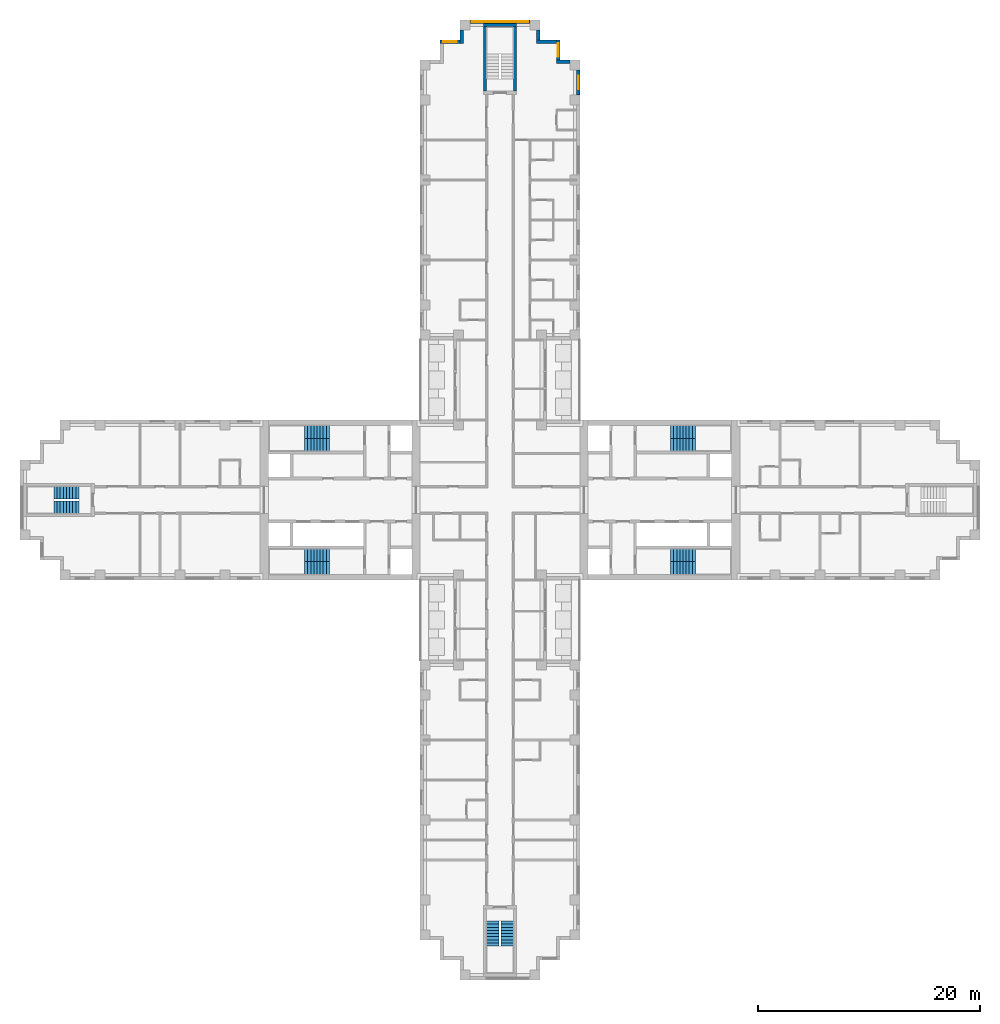
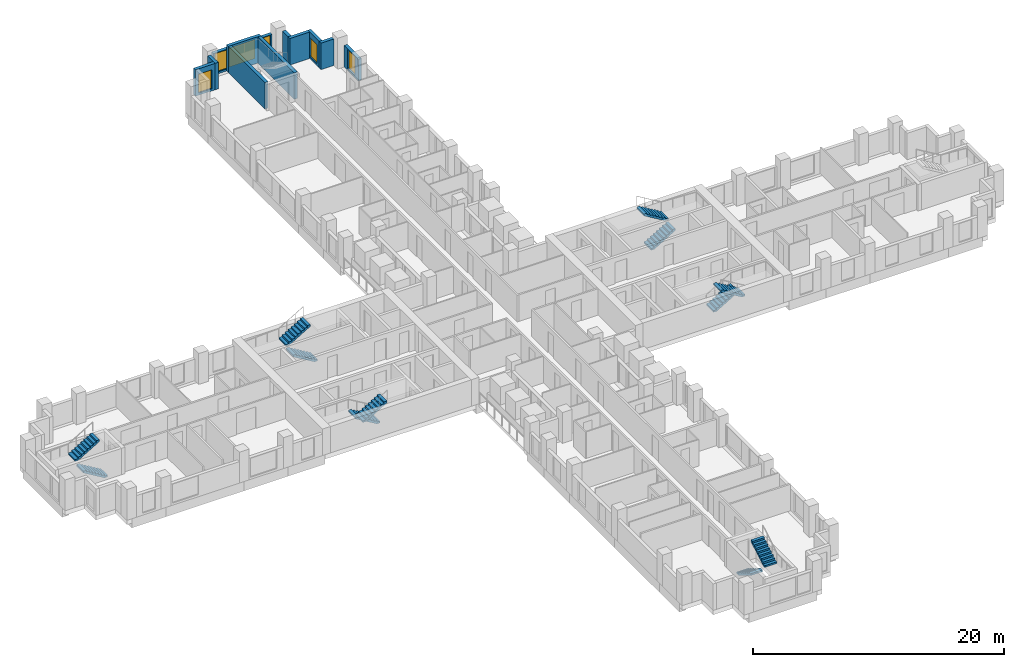
# One storey, part 12 of 15: 12 stair flights, 11 walls, 6 windows, 6 openings, 6 elements without a shape of their own.
"""IFC4 building model written with IfcOpenShell, lengths in metres."""

from ifc_helpers import new_model, si_unit, direction, frame, frame_2d, origin, place, context, subcontext, project, spatial, polyline, rectangle, outline, extrude, material, layer, layer_set, type_object, element, fill, aggregate, save


model = new_model("IFC4")

# Units and contexts
model_context = context("Model", 3, precision=1e-05, world=origin(), true_north=direction((0.0, 1.0)))
body_context = subcontext(model_context, "Body", "Model", "MODEL_VIEW")
ifc_project = project(units=[si_unit("LENGTHUNIT", "METRE"), si_unit("AREAUNIT", "SQUARE_METRE"), si_unit("VOLUMEUNIT", "CUBIC_METRE"), si_unit("PLANEANGLEUNIT", "RADIAN"), si_unit("MASSUNIT", "GRAM", prefix="KILO")], contexts=[model_context])

# Site, building, storey
site_placement = place(None, origin())
site = spatial("IfcSite", under=ifc_project, at=site_placement, CompositionType="ELEMENT")
building_placement = place(site_placement, origin())
building = spatial("IfcBuilding", under=site, at=building_placement, Name="Fustian Cross Tower", CompositionType="ELEMENT")
storey_placement = place(building_placement, frame((0.0, 0.0, 35.699951171875)))
storey = spatial("IfcBuildingStorey", under=building, at=storey_placement, Name="L10", CompositionType="ELEMENT", Elevation=35.699951171875)

# Walls
ifc_material_1 = material(Name="Concrete C50/60", Category="concrete")
ifc_layer_1 = layer(ifc_material_1, 0.300048828125)
ifc_layer_set_1 = layer_set([ifc_layer_1], Name="Concrete C50/60")
wall_type_1 = type_object("IfcWallType", Name="STAIR ENCLOSURE WALL 300 C50/60", PredefinedType="SHEAR", material=ifc_layer_set_1)
wall_1_placement = place(storey_placement, frame((-1.5, 42.75, 0.0), z_axis=(0.0, 0.0, 1.0), x_axis=(1.0, 0.0, 0.0)))
element("IfcWall", 1, at=wall_1_placement, inside=storey, type_object=wall_type_1, Name="Stair enclosure wall", PredefinedType="SHEAR", context=body_context, shape_type="SweptSolid", body=[
    extrude(rectangle(XDim=3.0, YDim=0.300048828125, at=frame_2d((1.5, 0.0))), origin(), (0.0, 0.0, 1.0), 2.574951171875),
])
for number, where, z_axis, x_axis, name in (
    (2, (-1.35009765625, 36.800048828125, 0.0), (0.0, 0.0, 1.0), (0.0, 1.0, 0.0), "Stair enclosure wall"),
    (3, (1.35009765625, 36.800048828125, 0.0), (0.0, 0.0, 1.0), (0.0, 1.0, 0.0), "Stair enclosure wall"),
):
    element("IfcWall", number, at=place(storey_placement, frame(where, z_axis=z_axis, x_axis=x_axis)), inside=storey, type_object=wall_type_1, Name=name, PredefinedType="SHEAR", context=body_context, shape_type="SweptSolid", body=[
        extrude(rectangle(XDim=5.800048828125, YDim=0.300048828125, at=frame_2d((2.89990234375, 0.0))), origin(), (0.0, 0.0, 1.0), 2.574951171875),
    ])

# Wall, opening, window
ifc_material_2 = material(Name="Dark aluminium cladding on insulated backing wall", Category="aluminium")
ifc_layer_2 = layer(ifc_material_2, 0.300048828125)
ifc_layer_set_2 = layer_set([ifc_layer_2], Name="Dark aluminium cladding on insulated backing wall")
wall_type_2 = type_object("IfcWallType", Name="XW1 EXTERNAL WALL 300", PredefinedType="SOLIDWALL", material=ifc_layer_set_2)
wall_2_placement = place(storey_placement, frame((7.050048828125, 36.449951171875, 0.0), z_axis=(0.0, 0.0, 1.0), x_axis=(0.0, 1.0, 0.0)))
wall_2 = element("IfcWall", 4, at=wall_2_placement, inside=storey, type_object=wall_type_2, Name="External wall", PredefinedType="SOLIDWALL", context=body_context, shape_type="SweptSolid", body=[
    extrude(rectangle(XDim=2.25, YDim=0.300048828125, at=frame_2d((1.125, 0.0))), origin(), (0.0, 0.0, 1.0), 2.10009765625),
])
opening_1_placement = place(wall_2_placement, frame((0.52490234375, 0.0, 0.199951171875)))
opening_1 = element("IfcOpeningElement", 5, at=opening_1_placement, cuts=wall_2, Name="Opening WN3", PredefinedType="OPENING", context=body_context, shape_type="SweptSolid", body=[
    extrude(rectangle(XDim=1.199951171875, YDim=1.85009765625, at=frame_2d((0.60009765625, 0.925048828125))), frame((0.0, 0.159912109375, 0.0), z_axis=(0.0, -1.0, 0.0), x_axis=(1.0, 0.0, 0.0)), (0.0, 0.0, 1.0), 0.320068359375),
])
ifc_material_3 = material(Name="Dark anodised aluminium and double glazing", Category="aluminium")
window_type_1 = type_object("IfcWindowType", Name="WN3 WINDOW 1200X1850", PartitioningType="SINGLE_PANEL", PredefinedType="WINDOW", material=ifc_material_3)
window_1_placement = place(opening_1_placement, origin())
window_1 = element("IfcWindow", 6, at=window_1_placement, inside=storey, type_object=window_type_1, Name="Window", OverallHeight=1.85009765625, OverallWidth=1.199951171875, PartitioningType="SINGLE_PANEL", PredefinedType="WINDOW", context=body_context, shape_type="SweptSolid", body=[
    extrude(rectangle(XDim=1.199951171875, YDim=1.85009765625, at=frame_2d((0.60009765625, 0.925048828125))), frame((0.0, 0.030029296875, 0.0), z_axis=(0.0, -1.0, 0.0), x_axis=(1.0, 0.0, 0.0)), (0.0, 0.0, 1.0), 0.06005859375),
])
fill(opening_1, window_1)

# Wall
wall_3_placement = place(storey_placement, frame((6.300048828125, 39.449951171875, 0.0), z_axis=(0.0, 0.0, 1.0), x_axis=(-1.0, 0.0, 0.0)))
element("IfcWall", 7, at=wall_3_placement, inside=storey, type_object=wall_type_2, Name="External wall", PredefinedType="SOLIDWALL", context=body_context, shape_type="SweptSolid", body=[
    extrude(rectangle(XDim=1.199951171875, YDim=0.300048828125, at=frame_2d((0.60009765625, 0.0))), origin(), (0.0, 0.0, 1.0), 2.574951171875),
])

# Wall, opening, window
wall_4_placement = place(storey_placement, frame((5.25, 39.60009765625, 0.0), z_axis=(0.0, 0.0, 1.0), x_axis=(0.0, 1.0, 0.0)))
wall_4 = element("IfcWall", 8, at=wall_4_placement, inside=storey, type_object=wall_type_2, Name="External wall", PredefinedType="SOLIDWALL", context=body_context, shape_type="SweptSolid", body=[
    extrude(rectangle(XDim=1.7998046875, YDim=0.300048828125, at=frame_2d((0.89990234375, 0.0))), origin(), (0.0, 0.0, 1.0), 2.574951171875),
])
opening_2_placement = place(wall_4_placement, frame((0.300048828125, 0.0, 0.199951171875)))
opening_2 = element("IfcOpeningElement", 9, at=opening_2_placement, cuts=wall_4, Name="Opening WN3", PredefinedType="OPENING", context=body_context, shape_type="SweptSolid", body=[
    extrude(rectangle(XDim=1.199951171875, YDim=1.85009765625, at=frame_2d((0.60009765625, 0.925048828125))), frame((0.0, 0.159912109375, 0.0), z_axis=(0.0, -1.0, 0.0), x_axis=(1.0, 0.0, 0.0)), (0.0, 0.0, 1.0), 0.320068359375),
])
window_2_placement = place(opening_2_placement, origin())
window_2 = element("IfcWindow", 10, at=window_2_placement, inside=storey, type_object=window_type_1, Name="Window", OverallHeight=1.85009765625, OverallWidth=1.199951171875, PartitioningType="SINGLE_PANEL", PredefinedType="WINDOW", context=body_context, shape_type="SweptSolid", body=[
    extrude(rectangle(XDim=1.199951171875, YDim=1.85009765625, at=frame_2d((0.60009765625, 0.925048828125))), frame((0.0, 0.030029296875, 0.0), z_axis=(0.0, -1.0, 0.0), x_axis=(1.0, 0.0, 0.0)), (0.0, 0.0, 1.0), 0.06005859375),
])
fill(opening_2, window_2)

# Walls
wall_5_placement = place(storey_placement, frame((5.10009765625, 41.25, 0.0), z_axis=(0.0, 0.0, 1.0), x_axis=(-1.0, 0.0, 0.0)))
element("IfcWall", 11, at=wall_5_placement, inside=storey, type_object=wall_type_2, Name="External wall", PredefinedType="SOLIDWALL", context=body_context, shape_type="SweptSolid", body=[
    extrude(rectangle(XDim=1.800048828125, YDim=0.300048828125, at=frame_2d((0.89990234375, 0.0))), origin(), (0.0, 0.0, 1.0), 2.574951171875),
])
wall_6_placement = place(storey_placement, frame((3.449951171875, 41.39990234375, 0.0), z_axis=(0.0, 0.0, 1.0), x_axis=(0.0, 1.0, 0.0)))
element("IfcWall", 12, at=wall_6_placement, inside=storey, type_object=wall_type_2, Name="External wall", PredefinedType="SOLIDWALL", context=body_context, shape_type="SweptSolid", body=[
    extrude(rectangle(XDim=0.900146484375, YDim=0.300048828125, at=frame_2d((0.4501953125, 0.0))), origin(), (0.0, 0.0, 1.0), 2.574951171875),
])

# Wall, openings, windows
wall_7_placement = place(storey_placement, frame((2.699951171875, 43.050048828125, 0.0), z_axis=(0.0, 0.0, 1.0), x_axis=(-1.0, 0.0, 0.0)))
wall_7 = element("IfcWall", 13, at=wall_7_placement, inside=storey, type_object=wall_type_2, Name="External wall", PredefinedType="SOLIDWALL", context=body_context, shape_type="SweptSolid", body=[
    extrude(rectangle(XDim=5.39990234375, YDim=0.300048828125, at=frame_2d((2.699951171875, 0.0))), origin(), (0.0, 0.0, 1.0), 2.10009765625),
])
opening_3_placement = place(wall_7_placement, frame((1.5, 0.0, 0.199951171875)))
opening_3 = element("IfcOpeningElement", 14, at=opening_3_placement, cuts=wall_7, Name="Opening WN1", PredefinedType="OPENING", context=body_context, shape_type="SweptSolid", body=[
    extrude(rectangle(XDim=2.39990234375, YDim=1.85009765625, at=frame_2d((1.199951171875, 0.925048828125))), frame((0.0, 0.159912109375, 0.0), z_axis=(0.0, -1.0, 0.0), x_axis=(1.0, 0.0, 0.0)), (0.0, 0.0, 1.0), 0.320068359375),
])
opening_4_placement = place(wall_7_placement, frame((0.14990234375, 0.0, 0.199951171875)))
opening_4 = element("IfcOpeningElement", 15, at=opening_4_placement, cuts=wall_7, Name="Opening WN3", PredefinedType="OPENING", context=body_context, shape_type="SweptSolid", body=[
    extrude(rectangle(XDim=1.199951171875, YDim=1.85009765625, at=frame_2d((0.60009765625, 0.925048828125))), frame((0.0, 0.159912109375, 0.0), z_axis=(0.0, -1.0, 0.0), x_axis=(1.0, 0.0, 0.0)), (0.0, 0.0, 1.0), 0.320068359375),
])
opening_5_placement = place(wall_7_placement, frame((4.050048828125, 0.0, 0.199951171875)))
opening_5 = element("IfcOpeningElement", 16, at=opening_5_placement, cuts=wall_7, Name="Opening WN3", PredefinedType="OPENING", context=body_context, shape_type="SweptSolid", body=[
    extrude(rectangle(XDim=1.199951171875, YDim=1.85009765625, at=frame_2d((0.60009765625, 0.925048828125))), frame((0.0, 0.159912109375, 0.0), z_axis=(0.0, -1.0, 0.0), x_axis=(1.0, 0.0, 0.0)), (0.0, 0.0, 1.0), 0.320068359375),
])
ifc_material_4 = material(Name="Dark anodised aluminium and double glazing", Category="aluminium")
window_type_2 = type_object("IfcWindowType", Name="WN1 WINDOW 2400X1850", PartitioningType="SINGLE_PANEL", PredefinedType="WINDOW", material=ifc_material_4)
window_3_placement = place(opening_3_placement, origin())
window_3 = element("IfcWindow", 17, at=window_3_placement, inside=storey, type_object=window_type_2, Name="Window", OverallHeight=1.85009765625, OverallWidth=2.39990234375, PartitioningType="SINGLE_PANEL", PredefinedType="WINDOW", context=body_context, shape_type="SweptSolid", body=[
    extrude(rectangle(XDim=2.39990234375, YDim=1.85009765625, at=frame_2d((1.199951171875, 0.925048828125))), frame((0.0, 0.030029296875, 0.0), z_axis=(0.0, -1.0, 0.0), x_axis=(1.0, 0.0, 0.0)), (0.0, 0.0, 1.0), 0.06005859375),
])
fill(opening_3, window_3)
window_4_placement = place(opening_4_placement, origin())
window_4 = element("IfcWindow", 18, at=window_4_placement, inside=storey, type_object=window_type_1, Name="Window", OverallHeight=1.85009765625, OverallWidth=1.199951171875, PartitioningType="SINGLE_PANEL", PredefinedType="WINDOW", context=body_context, shape_type="SweptSolid", body=[
    extrude(rectangle(XDim=1.199951171875, YDim=1.85009765625, at=frame_2d((0.60009765625, 0.925048828125))), frame((0.0, 0.030029296875, 0.0), z_axis=(0.0, -1.0, 0.0), x_axis=(1.0, 0.0, 0.0)), (0.0, 0.0, 1.0), 0.06005859375),
])
fill(opening_4, window_4)
window_5_placement = place(opening_5_placement, origin())
window_5 = element("IfcWindow", 19, at=window_5_placement, inside=storey, type_object=window_type_1, Name="Window", OverallHeight=1.85009765625, OverallWidth=1.199951171875, PartitioningType="SINGLE_PANEL", PredefinedType="WINDOW", context=body_context, shape_type="SweptSolid", body=[
    extrude(rectangle(XDim=1.199951171875, YDim=1.85009765625, at=frame_2d((0.60009765625, 0.925048828125))), frame((0.0, 0.030029296875, 0.0), z_axis=(0.0, -1.0, 0.0), x_axis=(1.0, 0.0, 0.0)), (0.0, 0.0, 1.0), 0.06005859375),
])
fill(opening_5, window_5)

# Wall
wall_8_placement = place(storey_placement, frame((-3.449951171875, 42.300048828125, 0.0), z_axis=(0.0, 0.0, 1.0), x_axis=(0.0, -1.0, 0.0)))
element("IfcWall", 20, at=wall_8_placement, inside=storey, type_object=wall_type_2, Name="External wall", PredefinedType="SOLIDWALL", context=body_context, shape_type="SweptSolid", body=[
    extrude(rectangle(XDim=1.199951171875, YDim=0.300048828125, at=frame_2d((0.60009765625, 0.0))), origin(), (0.0, 0.0, 1.0), 2.574951171875),
])

# Wall, opening, window
wall_9_placement = place(storey_placement, frame((-3.60009765625, 41.25, 0.0), z_axis=(0.0, 0.0, 1.0), x_axis=(-1.0, 0.0, 0.0)))
wall_9 = element("IfcWall", 21, at=wall_9_placement, inside=storey, type_object=wall_type_2, Name="External wall", PredefinedType="SOLIDWALL", context=body_context, shape_type="SweptSolid", body=[
    extrude(rectangle(XDim=1.7998046875, YDim=0.300048828125, at=frame_2d((0.89990234375, 0.0))), origin(), (0.0, 0.0, 1.0), 2.574951171875),
])
opening_6_placement = place(wall_9_placement, frame((0.300048828125, 0.0, 0.199951171875)))
opening_6 = element("IfcOpeningElement", 22, at=opening_6_placement, cuts=wall_9, Name="Opening WN3", PredefinedType="OPENING", context=body_context, shape_type="SweptSolid", body=[
    extrude(rectangle(XDim=1.199951171875, YDim=1.85009765625, at=frame_2d((0.60009765625, 0.925048828125))), frame((0.0, 0.159912109375, 0.0), z_axis=(0.0, -1.0, 0.0), x_axis=(1.0, 0.0, 0.0)), (0.0, 0.0, 1.0), 0.320068359375),
])
window_6_placement = place(opening_6_placement, origin())
window_6 = element("IfcWindow", 23, at=window_6_placement, inside=storey, type_object=window_type_1, Name="Window", OverallHeight=1.85009765625, OverallWidth=1.199951171875, PartitioningType="SINGLE_PANEL", PredefinedType="WINDOW", context=body_context, shape_type="SweptSolid", body=[
    extrude(rectangle(XDim=1.199951171875, YDim=1.85009765625, at=frame_2d((0.60009765625, 0.925048828125))), frame((0.0, 0.030029296875, 0.0), z_axis=(0.0, -1.0, 0.0), x_axis=(1.0, 0.0, 0.0)), (0.0, 0.0, 1.0), 0.06005859375),
])
fill(opening_6, window_6)

# Stair, stair flights
ifc_material_5 = material(Name="Concrete C50/60", Category="concrete")
stair_type_1 = type_object("IfcStairType", Name="STAIR 1100 HALF TURN", PredefinedType="HALF_TURN_STAIR", material=ifc_material_5)
stair_1_placement = place(storey_placement, origin())
stair_1 = element("IfcStair", 24, at=stair_1_placement, inside=storey, type_object=stair_type_1, Name="Stair ST6", PredefinedType="HALF_TURN_STAIR")
ifc_material_6 = material(Name="Concrete C50/60", Category="concrete")
stair_flight_type_1 = type_object("IfcStairFlightType", Name="STAIR FLIGHT 1100", PredefinedType="STRAIGHT", material=ifc_material_6)
stair_flight_1_placement = place(storey_placement, frame((-0.64990234375, -37.89990234375, 0.0), z_axis=(0.0, 0.0, 1.0), x_axis=(0.0, -1.0, 0.0)))
stair_flight_1 = element("IfcStairFlight", 25, at=stair_flight_1_placement, type_object=stair_flight_type_1, Name="ST6 flight 1", NumberOfRisers=9, NumberOfTreads=8, PredefinedType="STRAIGHT", RiserHeight=0.166666667, TreadLength=0.28, context=body_context, shape_type="SweptSolid", body=[
    extrude(outline(polyline([(0.0, 0.0), (0.0, 0.166748046875), (0.280029296875, 0.166748046875), (0.280029296875, 0.333251953125), (0.56005859375, 0.333251953125), (0.56005859375, 0.5), (0.840087890625, 0.5), (0.840087890625, 0.666748046875), (1.1201171875, 0.666748046875), (1.1201171875, 0.833251953125), (1.39990234375, 0.833251953125), (1.39990234375, 1.0), (1.679931640625, 1.0), (1.679931640625, 1.166748046875), (1.9599609375, 1.166748046875), (1.9599609375, 1.333251953125), (2.239990234375, 1.333251953125), (2.239990234375, 1.5), (2.239990234375, 1.158935546875), (0.29296875, 0.0), (0.0, 0.0)])), frame((0.0, 0.550048828125, 0.0), z_axis=(0.0, -1.0, 0.0), x_axis=(1.0, 0.0, 0.0)), (0.0, 0.0, 1.0), 1.10009765625),
])
stair_flight_2_placement = place(storey_placement, frame((0.64990234375, -40.139892578125, 1.5), z_axis=(0.0, 0.0, 1.0), x_axis=(0.0, 1.0, 0.0)))
stair_flight_2 = element("IfcStairFlight", 26, at=stair_flight_2_placement, type_object=stair_flight_type_1, Name="ST6 flight 2", NumberOfRisers=9, NumberOfTreads=8, PredefinedType="STRAIGHT", RiserHeight=0.166666667, TreadLength=0.28, context=body_context, shape_type="SweptSolid", body=[
    extrude(outline(polyline([(0.0, 0.0), (0.0, 0.166748046875), (0.280029296875, 0.166748046875), (0.280029296875, 0.333251953125), (0.56005859375, 0.333251953125), (0.56005859375, 0.5), (0.840087890625, 0.5), (0.840087890625, 0.666748046875), (1.1201171875, 0.666748046875), (1.1201171875, 0.833251953125), (1.39990234375, 0.833251953125), (1.39990234375, 1.0), (1.679931640625, 1.0), (1.679931640625, 1.166748046875), (1.9599609375, 1.166748046875), (1.9599609375, 1.333251953125), (2.239990234375, 1.333251953125), (2.239990234375, 1.5), (2.239990234375, 1.158935546875), (0.29296875, 0.0), (0.0, 0.0)])), frame((0.0, 0.550048828125, 0.0), z_axis=(0.0, -1.0, 0.0), x_axis=(1.0, 0.0, 0.0)), (0.0, 0.0, 1.0), 1.10009765625),
])
aggregate(stair_1, [stair_flight_1, stair_flight_2])

stair_2_placement = place(storey_placement, origin())
stair_2 = element("IfcStair", 27, at=stair_2_placement, inside=storey, type_object=stair_type_1, Name="Stair ST9", PredefinedType="HALF_TURN_STAIR")
stair_flight_3_placement = place(storey_placement, frame((-37.89990234375, -0.64990234375, 0.0), z_axis=(0.0, 0.0, 1.0), x_axis=(-1.0, 0.0, 0.0)))
stair_flight_3 = element("IfcStairFlight", 28, at=stair_flight_3_placement, type_object=stair_flight_type_1, Name="ST9 flight 1", NumberOfRisers=9, NumberOfTreads=8, PredefinedType="STRAIGHT", RiserHeight=0.166666667, TreadLength=0.28, context=body_context, shape_type="SweptSolid", body=[
    extrude(outline(polyline([(0.0, 0.0), (0.0, 0.166748046875), (0.280029296875, 0.166748046875), (0.280029296875, 0.333251953125), (0.56005859375, 0.333251953125), (0.56005859375, 0.5), (0.840087890625, 0.5), (0.840087890625, 0.666748046875), (1.1201171875, 0.666748046875), (1.1201171875, 0.833251953125), (1.39990234375, 0.833251953125), (1.39990234375, 1.0), (1.679931640625, 1.0), (1.679931640625, 1.166748046875), (1.9599609375, 1.166748046875), (1.9599609375, 1.333251953125), (2.239990234375, 1.333251953125), (2.239990234375, 1.5), (2.239990234375, 1.158935546875), (0.29296875, 0.0), (0.0, 0.0)])), frame((0.0, 0.550048828125, 0.0), z_axis=(0.0, -1.0, 0.0), x_axis=(1.0, 0.0, 0.0)), (0.0, 0.0, 1.0), 1.10009765625),
])
stair_flight_4_placement = place(storey_placement, frame((-40.139892578125, 0.64990234375, 1.5), z_axis=(0.0, 0.0, 1.0), x_axis=(1.0, 0.0, 0.0)))
stair_flight_4 = element("IfcStairFlight", 29, at=stair_flight_4_placement, type_object=stair_flight_type_1, Name="ST9 flight 2", NumberOfRisers=9, NumberOfTreads=8, PredefinedType="STRAIGHT", RiserHeight=0.166666667, TreadLength=0.28, context=body_context, shape_type="SweptSolid", body=[
    extrude(outline(polyline([(0.0, 0.0), (0.0, 0.166748046875), (0.280029296875, 0.166748046875), (0.280029296875, 0.333251953125), (0.56005859375, 0.333251953125), (0.56005859375, 0.5), (0.840087890625, 0.5), (0.840087890625, 0.666748046875), (1.1201171875, 0.666748046875), (1.1201171875, 0.833251953125), (1.39990234375, 0.833251953125), (1.39990234375, 1.0), (1.679931640625, 1.0), (1.679931640625, 1.166748046875), (1.9599609375, 1.166748046875), (1.9599609375, 1.333251953125), (2.239990234375, 1.333251953125), (2.239990234375, 1.5), (2.239990234375, 1.158935546875), (0.29296875, 0.0), (0.0, 0.0)])), frame((0.0, 0.550048828125, 0.0), z_axis=(0.0, -1.0, 0.0), x_axis=(1.0, 0.0, 0.0)), (0.0, 0.0, 1.0), 1.10009765625),
])
aggregate(stair_2, [stair_flight_3, stair_flight_4])

ifc_material_7 = material(Name="Concrete C50/60", Category="concrete")
stair_type_2 = type_object("IfcStairType", Name="STAIR 1150 HALF TURN", PredefinedType="HALF_TURN_STAIR", material=ifc_material_7)
stair_3_placement = place(storey_placement, origin())
stair_3 = element("IfcStair", 30, at=stair_3_placement, inside=storey, type_object=stair_type_2, Name="Stair ST1", PredefinedType="HALF_TURN_STAIR")
ifc_material_8 = material(Name="Concrete C50/60", Category="concrete")
stair_flight_type_2 = type_object("IfcStairFlightType", Name="STAIR FLIGHT 1150", PredefinedType="STRAIGHT", material=ifc_material_8)
stair_flight_5_placement = place(storey_placement, frame((15.35009765625, 4.97509765625, 0.0), z_axis=(0.0, 0.0, 1.0), x_axis=(1.0, 0.0, 0.0)))
stair_flight_5 = element("IfcStairFlight", 31, at=stair_flight_5_placement, type_object=stair_flight_type_2, Name="ST1 flight 1", NumberOfRisers=9, NumberOfTreads=8, PredefinedType="STRAIGHT", RiserHeight=0.166666667, TreadLength=0.28, context=body_context, shape_type="SweptSolid", body=[
    extrude(outline(polyline([(0.0, 0.0), (0.0, 0.166748046875), (0.280029296875, 0.166748046875), (0.280029296875, 0.333251953125), (0.56005859375, 0.333251953125), (0.56005859375, 0.5), (0.840087890625, 0.5), (0.840087890625, 0.666748046875), (1.1201171875, 0.666748046875), (1.1201171875, 0.833251953125), (1.39990234375, 0.833251953125), (1.39990234375, 1.0), (1.679931640625, 1.0), (1.679931640625, 1.166748046875), (1.9599609375, 1.166748046875), (1.9599609375, 1.333251953125), (2.239990234375, 1.333251953125), (2.239990234375, 1.5), (2.239990234375, 1.158935546875), (0.29296875, 0.0), (0.0, 0.0)])), frame((0.0, 0.574951171875, 0.0), z_axis=(0.0, -1.0, 0.0), x_axis=(1.0, 0.0, 0.0)), (0.0, 0.0, 1.0), 1.14990234375),
])
stair_flight_6_placement = place(storey_placement, frame((17.590087890625, 6.125, 1.5), z_axis=(0.0, 0.0, 1.0), x_axis=(-1.0, 0.0, 0.0)))
stair_flight_6 = element("IfcStairFlight", 32, at=stair_flight_6_placement, type_object=stair_flight_type_2, Name="ST1 flight 2", NumberOfRisers=9, NumberOfTreads=8, PredefinedType="STRAIGHT", RiserHeight=0.166666667, TreadLength=0.28, context=body_context, shape_type="SweptSolid", body=[
    extrude(outline(polyline([(0.0, 0.0), (0.0, 0.166748046875), (0.280029296875, 0.166748046875), (0.280029296875, 0.333251953125), (0.56005859375, 0.333251953125), (0.56005859375, 0.5), (0.840087890625, 0.5), (0.840087890625, 0.666748046875), (1.1201171875, 0.666748046875), (1.1201171875, 0.833251953125), (1.39990234375, 0.833251953125), (1.39990234375, 1.0), (1.679931640625, 1.0), (1.679931640625, 1.166748046875), (1.9599609375, 1.166748046875), (1.9599609375, 1.333251953125), (2.239990234375, 1.333251953125), (2.239990234375, 1.5), (2.239990234375, 1.158935546875), (0.29296875, 0.0), (0.0, 0.0)])), frame((0.0, 0.574951171875, 0.0), z_axis=(0.0, -1.0, 0.0), x_axis=(1.0, 0.0, 0.0)), (0.0, 0.0, 1.0), 1.14990234375),
])
aggregate(stair_3, [stair_flight_5, stair_flight_6])

stair_4_placement = place(storey_placement, origin())
stair_4 = element("IfcStair", 33, at=stair_4_placement, inside=storey, type_object=stair_type_2, Name="Stair ST2", PredefinedType="HALF_TURN_STAIR")
stair_flight_7_placement = place(storey_placement, frame((15.35009765625, -4.97509765625, 0.0), z_axis=(0.0, 0.0, 1.0), x_axis=(1.0, 0.0, 0.0)))
stair_flight_7 = element("IfcStairFlight", 34, at=stair_flight_7_placement, type_object=stair_flight_type_2, Name="ST2 flight 1", NumberOfRisers=9, NumberOfTreads=8, PredefinedType="STRAIGHT", RiserHeight=0.166666667, TreadLength=0.28, context=body_context, shape_type="SweptSolid", body=[
    extrude(outline(polyline([(0.0, 0.0), (0.0, 0.166748046875), (0.280029296875, 0.166748046875), (0.280029296875, 0.333251953125), (0.56005859375, 0.333251953125), (0.56005859375, 0.5), (0.840087890625, 0.5), (0.840087890625, 0.666748046875), (1.1201171875, 0.666748046875), (1.1201171875, 0.833251953125), (1.39990234375, 0.833251953125), (1.39990234375, 1.0), (1.679931640625, 1.0), (1.679931640625, 1.166748046875), (1.9599609375, 1.166748046875), (1.9599609375, 1.333251953125), (2.239990234375, 1.333251953125), (2.239990234375, 1.5), (2.239990234375, 1.158935546875), (0.29296875, 0.0), (0.0, 0.0)])), frame((0.0, 0.574951171875, 0.0), z_axis=(0.0, -1.0, 0.0), x_axis=(1.0, 0.0, 0.0)), (0.0, 0.0, 1.0), 1.14990234375),
])
stair_flight_8_placement = place(storey_placement, frame((17.590087890625, -6.125, 1.5), z_axis=(0.0, 0.0, 1.0), x_axis=(-1.0, 0.0, 0.0)))
stair_flight_8 = element("IfcStairFlight", 35, at=stair_flight_8_placement, type_object=stair_flight_type_2, Name="ST2 flight 2", NumberOfRisers=9, NumberOfTreads=8, PredefinedType="STRAIGHT", RiserHeight=0.166666667, TreadLength=0.28, context=body_context, shape_type="SweptSolid", body=[
    extrude(outline(polyline([(0.0, 0.0), (0.0, 0.166748046875), (0.280029296875, 0.166748046875), (0.280029296875, 0.333251953125), (0.56005859375, 0.333251953125), (0.56005859375, 0.5), (0.840087890625, 0.5), (0.840087890625, 0.666748046875), (1.1201171875, 0.666748046875), (1.1201171875, 0.833251953125), (1.39990234375, 0.833251953125), (1.39990234375, 1.0), (1.679931640625, 1.0), (1.679931640625, 1.166748046875), (1.9599609375, 1.166748046875), (1.9599609375, 1.333251953125), (2.239990234375, 1.333251953125), (2.239990234375, 1.5), (2.239990234375, 1.158935546875), (0.29296875, 0.0), (0.0, 0.0)])), frame((0.0, 0.574951171875, 0.0), z_axis=(0.0, -1.0, 0.0), x_axis=(1.0, 0.0, 0.0)), (0.0, 0.0, 1.0), 1.14990234375),
])
aggregate(stair_4, [stair_flight_7, stair_flight_8])

stair_5_placement = place(storey_placement, origin())
stair_5 = element("IfcStair", 36, at=stair_5_placement, inside=storey, type_object=stair_type_2, Name="Stair ST3", PredefinedType="HALF_TURN_STAIR")
stair_flight_9_placement = place(storey_placement, frame((-15.35009765625, 4.97509765625, 0.0), z_axis=(0.0, 0.0, 1.0), x_axis=(-1.0, 0.0, 0.0)))
stair_flight_9 = element("IfcStairFlight", 37, at=stair_flight_9_placement, type_object=stair_flight_type_2, Name="ST3 flight 1", NumberOfRisers=9, NumberOfTreads=8, PredefinedType="STRAIGHT", RiserHeight=0.166666667, TreadLength=0.28, context=body_context, shape_type="SweptSolid", body=[
    extrude(outline(polyline([(0.0, 0.0), (0.0, 0.166748046875), (0.280029296875, 0.166748046875), (0.280029296875, 0.333251953125), (0.56005859375, 0.333251953125), (0.56005859375, 0.5), (0.840087890625, 0.5), (0.840087890625, 0.666748046875), (1.1201171875, 0.666748046875), (1.1201171875, 0.833251953125), (1.39990234375, 0.833251953125), (1.39990234375, 1.0), (1.679931640625, 1.0), (1.679931640625, 1.166748046875), (1.9599609375, 1.166748046875), (1.9599609375, 1.333251953125), (2.239990234375, 1.333251953125), (2.239990234375, 1.5), (2.239990234375, 1.158935546875), (0.29296875, 0.0), (0.0, 0.0)])), frame((0.0, 0.574951171875, 0.0), z_axis=(0.0, -1.0, 0.0), x_axis=(1.0, 0.0, 0.0)), (0.0, 0.0, 1.0), 1.14990234375),
])
stair_flight_10_placement = place(storey_placement, frame((-17.590087890625, 6.125, 1.5), z_axis=(0.0, 0.0, 1.0), x_axis=(1.0, 0.0, 0.0)))
stair_flight_10 = element("IfcStairFlight", 38, at=stair_flight_10_placement, type_object=stair_flight_type_2, Name="ST3 flight 2", NumberOfRisers=9, NumberOfTreads=8, PredefinedType="STRAIGHT", RiserHeight=0.166666667, TreadLength=0.28, context=body_context, shape_type="SweptSolid", body=[
    extrude(outline(polyline([(0.0, 0.0), (0.0, 0.166748046875), (0.280029296875, 0.166748046875), (0.280029296875, 0.333251953125), (0.56005859375, 0.333251953125), (0.56005859375, 0.5), (0.840087890625, 0.5), (0.840087890625, 0.666748046875), (1.1201171875, 0.666748046875), (1.1201171875, 0.833251953125), (1.39990234375, 0.833251953125), (1.39990234375, 1.0), (1.679931640625, 1.0), (1.679931640625, 1.166748046875), (1.9599609375, 1.166748046875), (1.9599609375, 1.333251953125), (2.239990234375, 1.333251953125), (2.239990234375, 1.5), (2.239990234375, 1.158935546875), (0.29296875, 0.0), (0.0, 0.0)])), frame((0.0, 0.574951171875, 0.0), z_axis=(0.0, -1.0, 0.0), x_axis=(1.0, 0.0, 0.0)), (0.0, 0.0, 1.0), 1.14990234375),
])
aggregate(stair_5, [stair_flight_9, stair_flight_10])

stair_6_placement = place(storey_placement, origin())
stair_6 = element("IfcStair", 39, at=stair_6_placement, inside=storey, type_object=stair_type_2, Name="Stair ST4", PredefinedType="HALF_TURN_STAIR")
stair_flight_11_placement = place(storey_placement, frame((-15.35009765625, -4.97509765625, 0.0), z_axis=(0.0, 0.0, 1.0), x_axis=(-1.0, 0.0, 0.0)))
stair_flight_11 = element("IfcStairFlight", 40, at=stair_flight_11_placement, type_object=stair_flight_type_2, Name="ST4 flight 1", NumberOfRisers=9, NumberOfTreads=8, PredefinedType="STRAIGHT", RiserHeight=0.166666667, TreadLength=0.28, context=body_context, shape_type="SweptSolid", body=[
    extrude(outline(polyline([(0.0, 0.0), (0.0, 0.166748046875), (0.280029296875, 0.166748046875), (0.280029296875, 0.333251953125), (0.56005859375, 0.333251953125), (0.56005859375, 0.5), (0.840087890625, 0.5), (0.840087890625, 0.666748046875), (1.1201171875, 0.666748046875), (1.1201171875, 0.833251953125), (1.39990234375, 0.833251953125), (1.39990234375, 1.0), (1.679931640625, 1.0), (1.679931640625, 1.166748046875), (1.9599609375, 1.166748046875), (1.9599609375, 1.333251953125), (2.239990234375, 1.333251953125), (2.239990234375, 1.5), (2.239990234375, 1.158935546875), (0.29296875, 0.0), (0.0, 0.0)])), frame((0.0, 0.574951171875, 0.0), z_axis=(0.0, -1.0, 0.0), x_axis=(1.0, 0.0, 0.0)), (0.0, 0.0, 1.0), 1.14990234375),
])
stair_flight_12_placement = place(storey_placement, frame((-17.590087890625, -6.125, 1.5), z_axis=(0.0, 0.0, 1.0), x_axis=(1.0, 0.0, 0.0)))
stair_flight_12 = element("IfcStairFlight", 41, at=stair_flight_12_placement, type_object=stair_flight_type_2, Name="ST4 flight 2", NumberOfRisers=9, NumberOfTreads=8, PredefinedType="STRAIGHT", RiserHeight=0.166666667, TreadLength=0.28, context=body_context, shape_type="SweptSolid", body=[
    extrude(outline(polyline([(0.0, 0.0), (0.0, 0.166748046875), (0.280029296875, 0.166748046875), (0.280029296875, 0.333251953125), (0.56005859375, 0.333251953125), (0.56005859375, 0.5), (0.840087890625, 0.5), (0.840087890625, 0.666748046875), (1.1201171875, 0.666748046875), (1.1201171875, 0.833251953125), (1.39990234375, 0.833251953125), (1.39990234375, 1.0), (1.679931640625, 1.0), (1.679931640625, 1.166748046875), (1.9599609375, 1.166748046875), (1.9599609375, 1.333251953125), (2.239990234375, 1.333251953125), (2.239990234375, 1.5), (2.239990234375, 1.158935546875), (0.29296875, 0.0), (0.0, 0.0)])), frame((0.0, 0.574951171875, 0.0), z_axis=(0.0, -1.0, 0.0), x_axis=(1.0, 0.0, 0.0)), (0.0, 0.0, 1.0), 1.14990234375),
])
aggregate(stair_6, [stair_flight_11, stair_flight_12])

save(model, "model.ifc")
